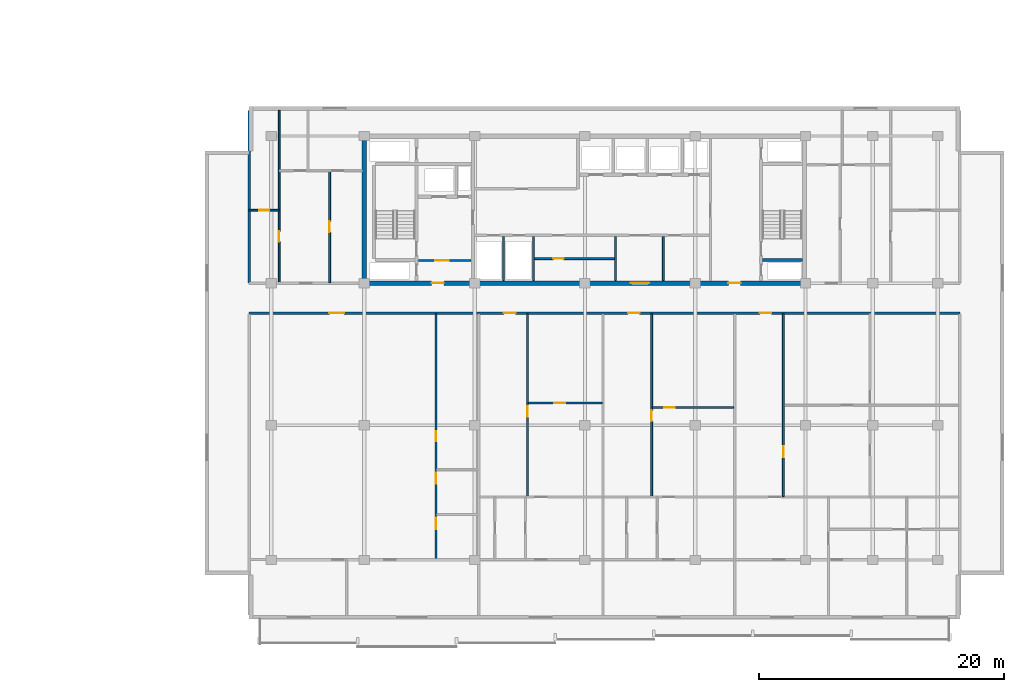
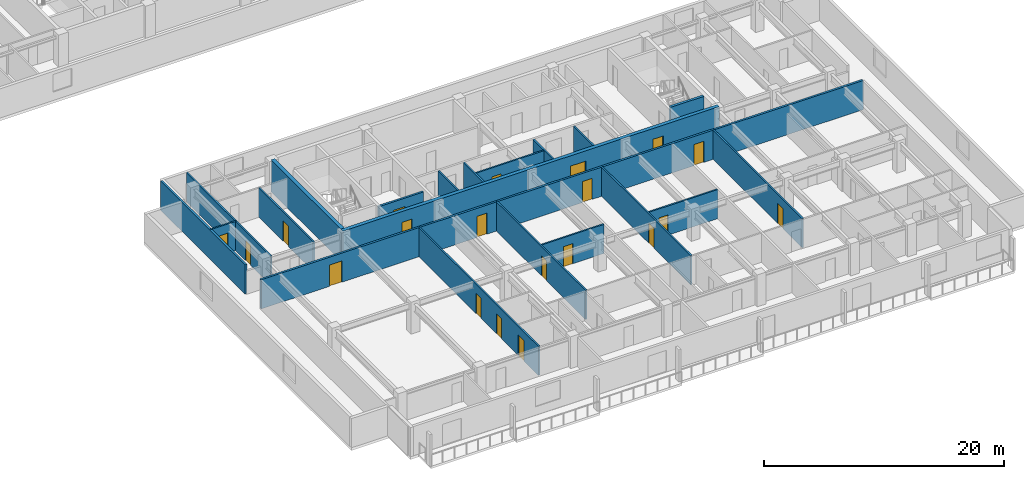
# One storey, part 5 of 21: 20 doors, 20 walls, 20 openings.
"""IFC4 building model written with IfcOpenShell, lengths in metres."""

from ifc_helpers import new_model, si_unit, direction, frame, frame_2d, origin, place, context, subcontext, project, spatial, rectangle, extrude, material, layer, layer_set, type_object, element, fill, save


model = new_model("IFC4")

# Units and contexts
model_context = context("Model", 3, precision=1e-05, world=origin(), true_north=direction((0.0, 1.0)))
body_context = subcontext(model_context, "Body", "Model", "MODEL_VIEW")
ifc_project = project(units=[si_unit("LENGTHUNIT", "METRE"), si_unit("AREAUNIT", "SQUARE_METRE"), si_unit("VOLUMEUNIT", "CUBIC_METRE"), si_unit("PLANEANGLEUNIT", "RADIAN"), si_unit("MASSUNIT", "GRAM", prefix="KILO")], contexts=[model_context])

# Site, building, storey
site_placement = place(None, origin())
site = spatial("IfcSite", under=ifc_project, at=site_placement, CompositionType="ELEMENT")
building_placement = place(site_placement, origin())
building = spatial("IfcBuilding", under=site, at=building_placement, Name="Korimba Cascade Residences", CompositionType="ELEMENT")
storey_placement = place(building_placement, frame((0.0, 0.0, 100.300048828125)))
storey = spatial("IfcBuildingStorey", under=building, at=storey_placement, Name="L28", CompositionType="ELEMENT", Elevation=100.300048828125)

# Wall
ifc_material_1 = material(Name="Concrete C65/80", Category="concrete")
ifc_layer_1 = layer(ifc_material_1, 0.35009765625)
ifc_layer_set_1 = layer_set([ifc_layer_1], Name="Concrete C65/80")
wall_type_1 = type_object("IfcWallType", Name="WAL-CORE-350", PredefinedType="SHEAR", material=ifc_layer_set_1)
wall_1_placement = place(storey_placement, frame((82.10009765625, 18.574951171875, 0.0), z_axis=(0.0, 0.0, 1.0), x_axis=(0.0, 1.0, 0.0)))
element("IfcWall", 1, at=wall_1_placement, inside=storey, type_object=wall_type_1, Name="L28 Core Shear Wall CW-L28-T2-W", PredefinedType="SHEAR", context=body_context, shape_type="SweptSolid", body=[
    extrude(rectangle(XDim=11.650146484375, YDim=0.35009765625, at=frame_2d((5.8251953125, 0.0))), origin(), (0.0, 0.0, 1.0), 3.25),
])

# Wall, openings, doors
wall_2_placement = place(storey_placement, frame((81.925048828125, 18.39990234375, 0.0), z_axis=(0.0, 0.0, 1.0), x_axis=(1.0, 0.0, 0.0)))
wall_2 = element("IfcWall", 2, at=wall_2_placement, inside=storey, type_object=wall_type_1, Name="L28 Core Shear Wall CW-L28-T2-S", PredefinedType="SHEAR", context=body_context, shape_type="SweptSolid", body=[
    extrude(rectangle(XDim=36.264892578125, YDim=0.35009765625, at=frame_2d((18.13232421875, 0.0))), origin(), (0.0, 0.0, 1.0), 3.25),
])
opening_1_placement = place(wall_2_placement, frame((5.675048828125, 0.0, 0.0)))
opening_1 = element("IfcOpeningElement", 3, at=opening_1_placement, cuts=wall_2, Name="Opening D-FD5", PredefinedType="OPENING", context=body_context, shape_type="SweptSolid", body=[
    extrude(rectangle(XDim=1.0, YDim=2.14990234375, at=frame_2d((0.5, 1.074951171875))), frame((0.0, 0.18505859375, 0.0), z_axis=(0.0, -1.0, 0.0), x_axis=(1.0, 0.0, 0.0)), (0.0, 0.0, 1.0), 0.3701171875),
])
opening_2_placement = place(wall_2_placement, frame((21.925048828125, 0.0, 0.0)))
opening_2 = element("IfcOpeningElement", 4, at=opening_2_placement, cuts=wall_2, Name="Opening D-FD8", PredefinedType="OPENING", context=body_context, shape_type="SweptSolid", body=[
    extrude(rectangle(XDim=1.5, YDim=2.199951171875, at=frame_2d((0.75, 1.10009765625))), frame((0.0, 0.18505859375, 0.0), z_axis=(0.0, -1.0, 0.0), x_axis=(1.0, 0.0, 0.0)), (0.0, 0.0, 1.0), 0.3701171875),
])
opening_3_placement = place(wall_2_placement, frame((29.875, 0.0, 0.0)))
opening_3 = element("IfcOpeningElement", 5, at=opening_3_placement, cuts=wall_2, Name="Opening D-FD5", PredefinedType="OPENING", context=body_context, shape_type="SweptSolid", body=[
    extrude(rectangle(XDim=1.0, YDim=2.14990234375, at=frame_2d((0.5, 1.074951171875))), frame((0.0, 0.18505859375, 0.0), z_axis=(0.0, -1.0, 0.0), x_axis=(1.0, 0.0, 0.0)), (0.0, 0.0, 1.0), 0.3701171875),
])
ifc_material_2 = material(Name="Fire-Rated Acoustic Timber Vestibule Door", Category="wood")
door_type_1 = type_object("IfcDoorType", Name="DR-FD90-1000", OperationType="NOTDEFINED", PredefinedType="DOOR", material=ifc_material_2)
door_1_placement = place(opening_1_placement, origin())
door_1 = element("IfcDoor", 6, at=door_1_placement, inside=storey, type_object=door_type_1, Name="L28 T2 West Core Vestibule Fire Door", OperationType="SINGLE_SWING_RIGHT", OverallHeight=2.14990234375, OverallWidth=1.0, PredefinedType="DOOR", context=body_context, shape_type="SweptSolid", body=[
    extrude(rectangle(XDim=1.0, YDim=2.14990234375, at=frame_2d((0.5, 1.074951171875))), frame((0.0, 0.02490234375, 0.0), z_axis=(0.0, -1.0, 0.0), x_axis=(1.0, 0.0, 0.0)), (0.0, 0.0, 1.0), 0.050048828125),
])
fill(opening_1, door_1)
door_2_placement = place(opening_3_placement, origin())
door_2 = element("IfcDoor", 7, at=door_2_placement, inside=storey, type_object=door_type_1, Name="L28 T2 East Stair Vestibule Fire Door", OperationType="SINGLE_SWING_LEFT", OverallHeight=2.14990234375, OverallWidth=1.0, PredefinedType="DOOR", context=body_context, shape_type="SweptSolid", body=[
    extrude(rectangle(XDim=1.0, YDim=2.14990234375, at=frame_2d((0.5, 1.074951171875))), frame((0.0, 0.02490234375, 0.0), z_axis=(0.0, -1.0, 0.0), x_axis=(1.0, 0.0, 0.0)), (0.0, 0.0, 1.0), 0.050048828125),
])
fill(opening_3, door_2)
ifc_material_3 = material(Name="Fire-Rated Glazed Lift Lobby Double Door", Category="glass")
door_type_2 = type_object("IfcDoorType", Name="DR-FD90-1500", OperationType="NOTDEFINED", PredefinedType="DOOR", material=ifc_material_3)
door_3_placement = place(opening_2_placement, origin())
door_3 = element("IfcDoor", 8, at=door_3_placement, inside=storey, type_object=door_type_2, Name="L28 T2 Lift Lobby Fire Door", OperationType="DOUBLE_DOOR_SINGLE_SWING", OverallHeight=2.199951171875, OverallWidth=1.5, PredefinedType="DOOR", context=body_context, shape_type="SweptSolid", body=[
    extrude(rectangle(XDim=1.5, YDim=2.199951171875, at=frame_2d((0.75, 1.10009765625))), frame((0.0, 0.02490234375, 0.0), z_axis=(0.0, -1.0, 0.0), x_axis=(1.0, 0.0, 0.0)), (0.0, 0.0, 1.0), 0.050048828125),
])
fill(opening_2, door_3)

# Wall
ifc_material_4 = material(Name="Precast concrete C40/50", Category="concrete")
ifc_layer_2 = layer(ifc_material_4, 0.199951171875)
ifc_layer_set_2 = layer_set([ifc_layer_2], Name="Precast concrete C40/50")
wall_type_2 = type_object("IfcWallType", Name="WAL-IT-200", PredefinedType="PARTITIONING", material=ifc_layer_set_2)
wall_3_placement = place(storey_placement, frame((72.699951171875, 18.39990234375, 0.0), z_axis=(0.0, 0.0, 1.0), x_axis=(0.0, 1.0, 0.0)))
element("IfcWall", 9, at=wall_3_placement, inside=storey, type_object=wall_type_2, Name="L28 Partition Wall WAL-L28-T2-FW-WL", PredefinedType="PARTITIONING", context=body_context, shape_type="SweptSolid", body=[
    extrude(rectangle(XDim=14.10009765625, YDim=0.199951171875, at=frame_2d((7.050048828125, 0.0))), origin(), (0.0, 0.0, 1.0), 2.969970703125),
])

# Wall, openings, doors
wall_4_placement = place(storey_placement, frame((72.699951171875, 15.949951171875, 0.0), z_axis=(0.0, 0.0, 1.0), x_axis=(1.0, 0.0, 0.0)))
wall_4 = element("IfcWall", 10, at=wall_4_placement, inside=storey, type_object=wall_type_2, Name="L28 Partition Wall WAL-L28-T2-CORS", PredefinedType="PARTITIONING", context=body_context, shape_type="SweptSolid", body=[
    extrude(rectangle(XDim=58.0, YDim=0.199951171875, at=frame_2d((29.0, 0.0))), origin(), (0.0, 0.0, 1.0), 2.969970703125),
])
opening_4_placement = place(wall_4_placement, frame((6.53857421875, 0.0, 0.0)))
opening_4 = element("IfcOpeningElement", 11, at=opening_4_placement, cuts=wall_4, Name="Opening D-AM1", PredefinedType="OPENING", context=body_context, shape_type="SweptSolid", body=[
    extrude(rectangle(XDim=1.219970703125, YDim=2.179931640625, at=frame_2d((0.60986328125, 1.08984375))), frame((0.0, 0.10986328125, 0.0), z_axis=(0.0, -1.0, 0.0), x_axis=(1.0, 0.0, 0.0)), (0.0, 0.0, 1.0), 0.219970703125),
])
opening_5_placement = place(wall_4_placement, frame((20.794921875, 0.0, 0.0)))
opening_5 = element("IfcOpeningElement", 12, at=opening_5_placement, cuts=wall_4, Name="Opening D-UN1", PredefinedType="OPENING", context=body_context, shape_type="SweptSolid", body=[
    extrude(rectangle(XDim=0.949951171875, YDim=2.14990234375, at=frame_2d((0.47509765625, 1.074951171875))), frame((0.0, 0.10986328125, 0.0), z_axis=(0.0, -1.0, 0.0), x_axis=(1.0, 0.0, 0.0)), (0.0, 0.0, 1.0), 0.219970703125),
])
opening_6_placement = place(wall_4_placement, frame((30.919921875, 0.0, 0.0)))
opening_6 = element("IfcOpeningElement", 13, at=opening_6_placement, cuts=wall_4, Name="Opening D-UN1", PredefinedType="OPENING", context=body_context, shape_type="SweptSolid", body=[
    extrude(rectangle(XDim=0.949951171875, YDim=2.14990234375, at=frame_2d((0.47509765625, 1.074951171875))), frame((0.0, 0.10986328125, 0.0), z_axis=(0.0, -1.0, 0.0), x_axis=(1.0, 0.0, 0.0)), (0.0, 0.0, 1.0), 0.219970703125),
])
opening_7_placement = place(wall_4_placement, frame((41.669921875, 0.0, 0.0)))
opening_7 = element("IfcOpeningElement", 14, at=opening_7_placement, cuts=wall_4, Name="Opening D-UN1", PredefinedType="OPENING", context=body_context, shape_type="SweptSolid", body=[
    extrude(rectangle(XDim=0.949951171875, YDim=2.14990234375, at=frame_2d((0.47509765625, 1.074951171875))), frame((0.0, 0.10986328125, 0.0), z_axis=(0.0, -1.0, 0.0), x_axis=(1.0, 0.0, 0.0)), (0.0, 0.0, 1.0), 0.219970703125),
])
ifc_material_5 = material(Name="Fire-Rated Glazed Timber Suite Door", Category="wood")
door_type_3 = type_object("IfcDoorType", Name="DR-FD60-1200", OperationType="NOTDEFINED", PredefinedType="DOOR", material=ifc_material_5)
door_4_placement = place(opening_4_placement, origin())
door_4 = element("IfcDoor", 15, at=door_4_placement, inside=storey, type_object=door_type_3, Name="L28-T2-U01 Resident Conference Room Door", OperationType="SINGLE_SWING_LEFT", OverallHeight=2.179931640625, OverallWidth=1.219970703125, PredefinedType="DOOR", context=body_context, shape_type="SweptSolid", body=[
    extrude(rectangle(XDim=1.219970703125, YDim=2.179931640625, at=frame_2d((0.60986328125, 1.08984375))), frame((0.0, 0.02490234375, 0.0), z_axis=(0.0, -1.0, 0.0), x_axis=(1.0, 0.0, 0.0)), (0.0, 0.0, 1.0), 0.050048828125),
])
fill(opening_4, door_4)
ifc_material_6 = material(Name="Fire-Rated Hardwood Apartment Entrance Door", Category="wood")
door_type_4 = type_object("IfcDoorType", Name="DR-FD60-950", OperationType="NOTDEFINED", PredefinedType="DOOR", material=ifc_material_6)
door_5_placement = place(opening_5_placement, origin())
door_5 = element("IfcDoor", 16, at=door_5_placement, inside=storey, type_object=door_type_4, Name="Unit L28-T2-U02 Entrance Door", OperationType="SINGLE_SWING_RIGHT", OverallHeight=2.14990234375, OverallWidth=0.949951171875, PredefinedType="DOOR", context=body_context, shape_type="SweptSolid", body=[
    extrude(rectangle(XDim=0.949951171875, YDim=2.14990234375, at=frame_2d((0.47509765625, 1.074951171875))), frame((0.0, 0.02490234375, 0.0), z_axis=(0.0, -1.0, 0.0), x_axis=(1.0, 0.0, 0.0)), (0.0, 0.0, 1.0), 0.050048828125),
])
fill(opening_5, door_5)
door_6_placement = place(opening_6_placement, origin())
door_6 = element("IfcDoor", 17, at=door_6_placement, inside=storey, type_object=door_type_4, Name="Unit L28-T2-U03 Entrance Door", OperationType="SINGLE_SWING_LEFT", OverallHeight=2.14990234375, OverallWidth=0.949951171875, PredefinedType="DOOR", context=body_context, shape_type="SweptSolid", body=[
    extrude(rectangle(XDim=0.949951171875, YDim=2.14990234375, at=frame_2d((0.47509765625, 1.074951171875))), frame((0.0, 0.02490234375, 0.0), z_axis=(0.0, -1.0, 0.0), x_axis=(1.0, 0.0, 0.0)), (0.0, 0.0, 1.0), 0.050048828125),
])
fill(opening_6, door_6)
door_7_placement = place(opening_7_placement, origin())
door_7 = element("IfcDoor", 18, at=door_7_placement, inside=storey, type_object=door_type_4, Name="Unit L28-T2-U04 Entrance Door", OperationType="SINGLE_SWING_RIGHT", OverallHeight=2.14990234375, OverallWidth=0.949951171875, PredefinedType="DOOR", context=body_context, shape_type="SweptSolid", body=[
    extrude(rectangle(XDim=0.949951171875, YDim=2.14990234375, at=frame_2d((0.47509765625, 1.074951171875))), frame((0.0, 0.02490234375, 0.0), z_axis=(0.0, -1.0, 0.0), x_axis=(1.0, 0.0, 0.0)), (0.0, 0.0, 1.0), 0.050048828125),
])
fill(opening_7, door_7)

# Walls
ifc_material_7 = material(Name="Insulated Acoustic Stud Partition", Category="gypsum")
ifc_layer_3 = layer(ifc_material_7, 0.14990234375)
ifc_layer_set_3 = layer_set([ifc_layer_3], Name="Insulated Acoustic Stud Partition")
wall_type_3 = type_object("IfcWallType", Name="WAL-PART-150", PredefinedType="PARTITIONING", material=ifc_layer_set_3)
for number, where, z_axis, x_axis, name in (
    (19, (93.449951171875, 18.60009765625, 0.0), (0.0, 0.0, 1.0), (0.0, 1.0, 0.0), "L28 Partition Wall CW-L28-T2-ERDIV"),
    (20, (95.89990234375, 18.60009765625, 0.0), (0.0, 0.0, 1.0), (0.0, 1.0, 0.0), "L28 Partition Wall CW-L28-T2-PRDIV"),
):
    element("IfcWall", number, at=place(storey_placement, frame(where, z_axis=z_axis, x_axis=x_axis)), inside=storey, type_object=wall_type_3, Name=name, PredefinedType="PARTITIONING", context=body_context, shape_type="SweptSolid", body=[
        extrude(rectangle(XDim=3.599853515625, YDim=0.14990234375, at=frame_2d((1.7998046875, 0.0))), origin(), (0.0, 0.0, 1.0), 2.969970703125),
    ])

# Wall, opening, door
wall_5_placement = place(storey_placement, frame((95.89990234375, 20.39990234375, 0.0), z_axis=(0.0, 0.0, 1.0), x_axis=(1.0, 0.0, 0.0)))
wall_5 = element("IfcWall", 21, at=wall_5_placement, inside=storey, type_object=wall_type_3, Name="L28 Partition Wall CW-L28-T2-CA2HZ", PredefinedType="PARTITIONING", context=body_context, shape_type="SweptSolid", body=[
    extrude(rectangle(XDim=6.7001953125, YDim=0.14990234375, at=frame_2d((3.35009765625, 0.0))), origin(), (0.0, 0.0, 1.0), 2.969970703125),
])
opening_8_placement = place(wall_5_placement, frame((1.60009765625, 0.0, 0.0)))
opening_8 = element("IfcOpeningElement", 22, at=opening_8_placement, cuts=wall_5, Name="Opening D-IN2", PredefinedType="OPENING", context=body_context, shape_type="SweptSolid", body=[
    extrude(rectangle(XDim=0.8798828125, YDim=2.06005859375, at=frame_2d((0.43994140625, 1.030029296875))), frame((0.0, 0.0849609375, 0.0), z_axis=(0.0, -1.0, 0.0), x_axis=(1.0, 0.0, 0.0)), (0.0, 0.0, 1.0), 0.169921875),
])
ifc_material_8 = material(Name="Acoustic Timber Bedroom Door", Category="wood")
door_type_5 = type_object("IfcDoorType", Name="DR-INT-880", OperationType="NOTDEFINED", PredefinedType="DOOR", material=ifc_material_8)
door_8_placement = place(opening_8_placement, origin())
door_8 = element("IfcDoor", 23, at=door_8_placement, inside=storey, type_object=door_type_5, Name="L28 T2 Pram Store Door", OperationType="SINGLE_SWING_RIGHT", OverallHeight=2.06005859375, OverallWidth=0.8798828125, PredefinedType="DOOR", context=body_context, shape_type="SweptSolid", body=[
    extrude(rectangle(XDim=0.8798828125, YDim=2.06005859375, at=frame_2d((0.43994140625, 1.030029296875))), frame((0.0, 0.02490234375, 0.0), z_axis=(0.0, -1.0, 0.0), x_axis=(1.0, 0.0, 0.0)), (0.0, 0.0, 1.0), 0.050048828125),
])
fill(opening_8, door_8)

# Walls
for number, where, z_axis, x_axis, name in (
    (24, (102.60009765625, 18.60009765625, 0.0), (0.0, 0.0, 1.0), (0.0, 1.0, 0.0), "L28 Partition Wall CW-L28-T2-THW"),
    (25, (106.5, 18.60009765625, 0.0), (0.0, 0.0, 1.0), (0.0, 1.0, 0.0), "L28 Partition Wall CW-L28-T2-THE"),
):
    element("IfcWall", number, at=place(storey_placement, frame(where, z_axis=z_axis, x_axis=x_axis)), inside=storey, type_object=wall_type_3, Name=name, PredefinedType="PARTITIONING", context=body_context, shape_type="SweptSolid", body=[
        extrude(rectangle(XDim=3.599853515625, YDim=0.14990234375, at=frame_2d((1.7998046875, 0.0))), origin(), (0.0, 0.0, 1.0), 2.969970703125),
    ])

# Wall, opening, door
wall_6_placement = place(storey_placement, frame((72.699951171875, 24.35009765625, 0.0), z_axis=(0.0, 0.0, 1.0), x_axis=(1.0, 0.0, 0.0)))
wall_6 = element("IfcWall", 26, at=wall_6_placement, inside=storey, type_object=wall_type_3, Name="L28 Partition Wall WAL-L28-T2-FW-STH", PredefinedType="PARTITIONING", context=body_context, shape_type="SweptSolid", body=[
    extrude(rectangle(XDim=2.449951171875, YDim=0.14990234375, at=frame_2d((1.22509765625, 0.0))), origin(), (0.0, 0.0, 1.0), 2.969970703125),
])
opening_9_placement = place(wall_6_placement, frame((0.804931640625, 0.0, 0.0)))
opening_9 = element("IfcOpeningElement", 27, at=opening_9_placement, cuts=wall_6, Name="Opening D-BT1", PredefinedType="OPENING", context=body_context, shape_type="SweptSolid", body=[
    extrude(rectangle(XDim=0.840087890625, YDim=2.0400390625, at=frame_2d((0.419921875, 1.02001953125))), frame((0.0, 0.0849609375, 0.0), z_axis=(0.0, -1.0, 0.0), x_axis=(1.0, 0.0, 0.0)), (0.0, 0.0, 1.0), 0.169921875),
])
ifc_material_9 = material(Name="Moisture-Resistant Bathroom Timber Door", Category="wood")
door_type_6 = type_object("IfcDoorType", Name="DR-INT-850", OperationType="NOTDEFINED", PredefinedType="DOOR", material=ifc_material_9)
door_9_placement = place(opening_9_placement, origin())
door_9 = element("IfcDoor", 28, at=door_9_placement, inside=storey, type_object=door_type_6, Name="L28-T2-FW Dressing Store Door", OperationType="SINGLE_SWING_LEFT", OverallHeight=2.0400390625, OverallWidth=0.840087890625, PredefinedType="DOOR", context=body_context, shape_type="SweptSolid", body=[
    extrude(rectangle(XDim=0.840087890625, YDim=2.0400390625, at=frame_2d((0.419921875, 1.02001953125))), frame((0.0, 0.02490234375, 0.0), z_axis=(0.0, -1.0, 0.0), x_axis=(1.0, 0.0, 0.0)), (0.0, 0.0, 1.0), 0.050048828125),
])
fill(opening_9, door_9)

wall_7_placement = place(storey_placement, frame((75.14990234375, 18.449951171875, 0.0), z_axis=(0.0, 0.0, 1.0), x_axis=(0.0, 1.0, 0.0)))
wall_7 = element("IfcWall", 29, at=wall_7_placement, inside=storey, type_object=wall_type_3, Name="L28 Partition Wall WAL-L28-T2-FW-STV", PredefinedType="PARTITIONING", context=body_context, shape_type="SweptSolid", body=[
    extrude(rectangle(XDim=14.050048828125, YDim=0.14990234375, at=frame_2d((7.02490234375, 0.0))), origin(), (0.0, 0.0, 1.0), 2.969970703125),
])
opening_10_placement = place(wall_7_placement, frame((3.320068359375, 0.0, 0.0)))
opening_10 = element("IfcOpeningElement", 30, at=opening_10_placement, cuts=wall_7, Name="Opening D-IN2", PredefinedType="OPENING", context=body_context, shape_type="SweptSolid", body=[
    extrude(rectangle(XDim=0.8798828125, YDim=2.06005859375, at=frame_2d((0.43994140625, 1.030029296875))), frame((0.0, 0.0849609375, 0.0), z_axis=(0.0, -1.0, 0.0), x_axis=(1.0, 0.0, 0.0)), (0.0, 0.0, 1.0), 0.169921875),
])
door_10_placement = place(opening_10_placement, origin())
door_10 = element("IfcDoor", 31, at=door_10_placement, inside=storey, type_object=door_type_5, Name="L28-T2-FW Study Door", OperationType="SINGLE_SWING_RIGHT", OverallHeight=2.06005859375, OverallWidth=0.8798828125, PredefinedType="DOOR", context=body_context, shape_type="SweptSolid", body=[
    extrude(rectangle(XDim=0.8798828125, YDim=2.06005859375, at=frame_2d((0.43994140625, 1.030029296875))), frame((0.0, 0.02490234375, 0.0), z_axis=(0.0, -1.0, 0.0), x_axis=(1.0, 0.0, 0.0)), (0.0, 0.0, 1.0), 0.050048828125),
])
fill(opening_10, door_10)

wall_8_placement = place(storey_placement, frame((79.27001953125, 18.449951171875, 0.0), z_axis=(0.0, 0.0, 1.0), x_axis=(0.0, 1.0, 0.0)))
wall_8 = element("IfcWall", 32, at=wall_8_placement, inside=storey, type_object=wall_type_3, Name="L28 Partition Wall WAL-L28-T2-FW-VS", PredefinedType="PARTITIONING", context=body_context, shape_type="SweptSolid", body=[
    extrude(rectangle(XDim=9.1201171875, YDim=0.14990234375, at=frame_2d((4.56005859375, 0.0))), origin(), (0.0, 0.0, 1.0), 2.969970703125),
])
opening_11_placement = place(wall_8_placement, frame((4.10009765625, 0.0, 0.0)))
opening_11 = element("IfcOpeningElement", 33, at=opening_11_placement, cuts=wall_8, Name="Opening D-IN1", PredefinedType="OPENING", context=body_context, shape_type="SweptSolid", body=[
    extrude(rectangle(XDim=0.919921875, YDim=2.080078125, at=frame_2d((0.4599609375, 1.0400390625))), frame((0.0, 0.0849609375, 0.0), z_axis=(0.0, -1.0, 0.0), x_axis=(1.0, 0.0, 0.0)), (0.0, 0.0, 1.0), 0.169921875),
])
ifc_material_10 = material(Name="Acoustic Timber Living Door", Category="wood")
door_type_7 = type_object("IfcDoorType", Name="DR-INT-920", OperationType="NOTDEFINED", PredefinedType="DOOR", material=ifc_material_10)
door_11_placement = place(opening_11_placement, origin())
door_11 = element("IfcDoor", 34, at=door_11_placement, inside=storey, type_object=door_type_7, Name="L28-T2-FW Living Door", OperationType="SINGLE_SWING_LEFT", OverallHeight=2.080078125, OverallWidth=0.919921875, PredefinedType="DOOR", context=body_context, shape_type="SweptSolid", body=[
    extrude(rectangle(XDim=0.919921875, YDim=2.080078125, at=frame_2d((0.4599609375, 1.0400390625))), frame((0.0, 0.02490234375, 0.0), z_axis=(0.0, -1.0, 0.0), x_axis=(1.0, 0.0, 0.0)), (0.0, 0.0, 1.0), 0.050048828125),
])
fill(opening_11, door_11)

# Wall, openings, doors
wall_9_placement = place(storey_placement, frame((87.949951171875, -4.090087890625, 0.0), z_axis=(0.0, 0.0, 1.0), x_axis=(0.0, 1.0, 0.0)))
wall_9 = element("IfcWall", 35, at=wall_9_placement, inside=storey, type_object=wall_type_3, Name="L28 Partition Wall WAL-L28-T2-U01-WCV", PredefinedType="PARTITIONING", context=body_context, shape_type="SweptSolid", body=[
    extrude(rectangle(XDim=19.97998046875, YDim=0.14990234375, at=frame_2d((9.989990234375, 0.0))), origin(), (0.0, 0.0, 1.0), 2.969970703125),
])
opening_12_placement = place(wall_9_placement, frame((2.406005859375, 0.0, 0.0)))
opening_12 = element("IfcOpeningElement", 36, at=opening_12_placement, cuts=wall_9, Name="Opening D-AC1", PredefinedType="OPENING", context=body_context, shape_type="SweptSolid", body=[
    extrude(rectangle(XDim=0.9599609375, YDim=2.10009765625, at=frame_2d((0.47998046875, 1.050048828125))), frame((0.0, 0.0849609375, 0.0), z_axis=(0.0, -1.0, 0.0), x_axis=(1.0, 0.0, 0.0)), (0.0, 0.0, 1.0), 0.169921875),
])
opening_13_placement = place(wall_9_placement, frame((6.132568359375, 0.0, 0.0)))
opening_13 = element("IfcOpeningElement", 37, at=opening_13_placement, cuts=wall_9, Name="Opening D-IN2", PredefinedType="OPENING", context=body_context, shape_type="SweptSolid", body=[
    extrude(rectangle(XDim=0.8798828125, YDim=2.06005859375, at=frame_2d((0.43994140625, 1.030029296875))), frame((0.0, 0.0849609375, 0.0), z_axis=(0.0, -1.0, 0.0), x_axis=(1.0, 0.0, 0.0)), (0.0, 0.0, 1.0), 0.169921875),
])
opening_14_placement = place(wall_9_placement, frame((9.570068359375, 0.0, 0.0)))
opening_14 = element("IfcOpeningElement", 38, at=opening_14_placement, cuts=wall_9, Name="Opening D-BT1", PredefinedType="OPENING", context=body_context, shape_type="SweptSolid", body=[
    extrude(rectangle(XDim=0.840087890625, YDim=2.0400390625, at=frame_2d((0.419921875, 1.02001953125))), frame((0.0, 0.0849609375, 0.0), z_axis=(0.0, -1.0, 0.0), x_axis=(1.0, 0.0, 0.0)), (0.0, 0.0, 1.0), 0.169921875),
])
ifc_material_11 = material(Name="Accessible Acoustic Timber WC Door", Category="wood")
door_type_8 = type_object("IfcDoorType", Name="DR-ACC-950", OperationType="NOTDEFINED", PredefinedType="DOOR", material=ifc_material_11)
door_12_placement = place(opening_12_placement, origin())
door_12 = element("IfcDoor", 39, at=door_12_placement, inside=storey, type_object=door_type_8, Name="L28-T2-U01 Accessible WC Door", OperationType="SINGLE_SWING_LEFT", OverallHeight=2.10009765625, OverallWidth=0.9599609375, PredefinedType="DOOR", context=body_context, shape_type="SweptSolid", body=[
    extrude(rectangle(XDim=0.9599609375, YDim=2.10009765625, at=frame_2d((0.47998046875, 1.050048828125))), frame((0.0, 0.02490234375, 0.0), z_axis=(0.0, -1.0, 0.0), x_axis=(1.0, 0.0, 0.0)), (0.0, 0.0, 1.0), 0.050048828125),
])
fill(opening_12, door_12)
door_13_placement = place(opening_14_placement, origin())
door_13 = element("IfcDoor", 40, at=door_13_placement, inside=storey, type_object=door_type_6, Name="L28-T2-U01 Suite Store Door", OperationType="SINGLE_SWING_LEFT", OverallHeight=2.0400390625, OverallWidth=0.840087890625, PredefinedType="DOOR", context=body_context, shape_type="SweptSolid", body=[
    extrude(rectangle(XDim=0.840087890625, YDim=2.0400390625, at=frame_2d((0.419921875, 1.02001953125))), frame((0.0, 0.02490234375, 0.0), z_axis=(0.0, -1.0, 0.0), x_axis=(1.0, 0.0, 0.0)), (0.0, 0.0, 1.0), 0.050048828125),
])
fill(opening_14, door_13)
door_14_placement = place(opening_13_placement, origin())
door_14 = element("IfcDoor", 41, at=door_14_placement, inside=storey, type_object=door_type_5, Name="L28-T2-U01 Restroom WC Door", OperationType="SINGLE_SWING_RIGHT", OverallHeight=2.06005859375, OverallWidth=0.8798828125, PredefinedType="DOOR", context=body_context, shape_type="SweptSolid", body=[
    extrude(rectangle(XDim=0.8798828125, YDim=2.06005859375, at=frame_2d((0.43994140625, 1.030029296875))), frame((0.0, 0.02490234375, 0.0), z_axis=(0.0, -1.0, 0.0), x_axis=(1.0, 0.0, 0.0)), (0.0, 0.0, 1.0), 0.050048828125),
])
fill(opening_13, door_14)

# Wall, opening, door
wall_10_placement = place(storey_placement, frame((95.47998046875, 8.6201171875, 0.0), z_axis=(0.0, 0.0, 1.0), x_axis=(1.0, 0.0, 0.0)))
wall_10 = element("IfcWall", 42, at=wall_10_placement, inside=storey, type_object=wall_type_3, Name="L28 Partition Wall WAL-L28-T2-U02-FMH", PredefinedType="PARTITIONING", context=body_context, shape_type="SweptSolid", body=[
    extrude(rectangle(XDim=6.01513671875, YDim=0.14990234375, at=frame_2d((3.007568359375, 0.0))), origin(), (0.0, 0.0, 1.0), 2.969970703125),
])
opening_15_placement = place(wall_10_placement, frame((2.1240234375, 0.0, 0.0)))
opening_15 = element("IfcOpeningElement", 43, at=opening_15_placement, cuts=wall_10, Name="Opening D-IN2", PredefinedType="OPENING", context=body_context, shape_type="SweptSolid", body=[
    extrude(rectangle(XDim=0.8798828125, YDim=2.06005859375, at=frame_2d((0.43994140625, 1.030029296875))), frame((0.0, 0.0849609375, 0.0), z_axis=(0.0, -1.0, 0.0), x_axis=(1.0, 0.0, 0.0)), (0.0, 0.0, 1.0), 0.169921875),
])
door_15_placement = place(opening_15_placement, origin())
door_15 = element("IfcDoor", 44, at=door_15_placement, inside=storey, type_object=door_type_5, Name="L28-T2-U02 Library Salon Door", OperationType="SINGLE_SWING_RIGHT", OverallHeight=2.06005859375, OverallWidth=0.8798828125, PredefinedType="DOOR", context=body_context, shape_type="SweptSolid", body=[
    extrude(rectangle(XDim=0.8798828125, YDim=2.06005859375, at=frame_2d((0.43994140625, 1.030029296875))), frame((0.0, 0.02490234375, 0.0), z_axis=(0.0, -1.0, 0.0), x_axis=(1.0, 0.0, 0.0)), (0.0, 0.0, 1.0), 0.050048828125),
])
fill(opening_15, door_15)

wall_11_placement = place(storey_placement, frame((95.419921875, 0.989990234375, 0.0), z_axis=(0.0, 0.0, 1.0), x_axis=(0.0, 1.0, 0.0)))
wall_11 = element("IfcWall", 45, at=wall_11_placement, inside=storey, type_object=wall_type_3, Name="L28 Partition Wall WAL-L28-T2-U02-FV", PredefinedType="PARTITIONING", context=body_context, shape_type="SweptSolid", body=[
    extrude(rectangle(XDim=14.89990234375, YDim=0.14990234375, at=frame_2d((7.449951171875, 0.0))), origin(), (0.0, 0.0, 1.0), 2.969970703125),
])
opening_16_placement = place(wall_11_placement, frame((6.5, 0.0, 0.0)))
opening_16 = element("IfcOpeningElement", 46, at=opening_16_placement, cuts=wall_11, Name="Opening D-IN2", PredefinedType="OPENING", context=body_context, shape_type="SweptSolid", body=[
    extrude(rectangle(XDim=0.8798828125, YDim=2.06005859375, at=frame_2d((0.43994140625, 1.030029296875))), frame((0.0, 0.0849609375, 0.0), z_axis=(0.0, -1.0, 0.0), x_axis=(1.0, 0.0, 0.0)), (0.0, 0.0, 1.0), 0.169921875),
])
door_16_placement = place(opening_16_placement, origin())
door_16 = element("IfcDoor", 47, at=door_16_placement, inside=storey, type_object=door_type_5, Name="L28-T2-U02 Media Lounge Door", OperationType="SINGLE_SWING_LEFT", OverallHeight=2.06005859375, OverallWidth=0.8798828125, PredefinedType="DOOR", context=body_context, shape_type="SweptSolid", body=[
    extrude(rectangle(XDim=0.8798828125, YDim=2.06005859375, at=frame_2d((0.43994140625, 1.030029296875))), frame((0.0, 0.02490234375, 0.0), z_axis=(0.0, -1.0, 0.0), x_axis=(1.0, 0.0, 0.0)), (0.0, 0.0, 1.0), 0.050048828125),
])
fill(opening_16, door_16)

wall_12_placement = place(storey_placement, frame((105.60498046875, 8.260009765625, 0.0), z_axis=(0.0, 0.0, 1.0), x_axis=(1.0, 0.0, 0.0)))
wall_12 = element("IfcWall", 48, at=wall_12_placement, inside=storey, type_object=wall_type_3, Name="L28 Partition Wall WAL-L28-T2-U03-FMH", PredefinedType="PARTITIONING", context=body_context, shape_type="SweptSolid", body=[
    extrude(rectangle(XDim=6.64013671875, YDim=0.14990234375, at=frame_2d((3.320068359375, 0.0))), origin(), (0.0, 0.0, 1.0), 2.969970703125),
])
opening_17_placement = place(wall_12_placement, frame((0.957275390625, 0.0, 0.0)))
opening_17 = element("IfcOpeningElement", 49, at=opening_17_placement, cuts=wall_12, Name="Opening D-IN2", PredefinedType="OPENING", context=body_context, shape_type="SweptSolid", body=[
    extrude(rectangle(XDim=0.8798828125, YDim=2.06005859375, at=frame_2d((0.43994140625, 1.030029296875))), frame((0.0, 0.0849609375, 0.0), z_axis=(0.0, -1.0, 0.0), x_axis=(1.0, 0.0, 0.0)), (0.0, 0.0, 1.0), 0.169921875),
])
door_17_placement = place(opening_17_placement, origin())
door_17 = element("IfcDoor", 50, at=door_17_placement, inside=storey, type_object=door_type_5, Name="L28-T2-U03 Library Salon Door", OperationType="SINGLE_SWING_RIGHT", OverallHeight=2.06005859375, OverallWidth=0.8798828125, PredefinedType="DOOR", context=body_context, shape_type="SweptSolid", body=[
    extrude(rectangle(XDim=0.8798828125, YDim=2.06005859375, at=frame_2d((0.43994140625, 1.030029296875))), frame((0.0, 0.02490234375, 0.0), z_axis=(0.0, -1.0, 0.0), x_axis=(1.0, 0.0, 0.0)), (0.0, 0.0, 1.0), 0.050048828125),
])
fill(opening_17, door_17)

wall_13_placement = place(storey_placement, frame((105.544921875, 0.989990234375, 0.0), z_axis=(0.0, 0.0, 1.0), x_axis=(0.0, 1.0, 0.0)))
wall_13 = element("IfcWall", 51, at=wall_13_placement, inside=storey, type_object=wall_type_3, Name="L28 Partition Wall WAL-L28-T2-U03-FV", PredefinedType="PARTITIONING", context=body_context, shape_type="SweptSolid", body=[
    extrude(rectangle(XDim=14.89990234375, YDim=0.14990234375, at=frame_2d((7.449951171875, 0.0))), origin(), (0.0, 0.0, 1.0), 2.969970703125),
])
opening_18_placement = place(wall_13_placement, frame((6.139892578125, 0.0, 0.0)))
opening_18 = element("IfcOpeningElement", 52, at=opening_18_placement, cuts=wall_13, Name="Opening D-IN2", PredefinedType="OPENING", context=body_context, shape_type="SweptSolid", body=[
    extrude(rectangle(XDim=0.8798828125, YDim=2.06005859375, at=frame_2d((0.43994140625, 1.030029296875))), frame((0.0, 0.0849609375, 0.0), z_axis=(0.0, -1.0, 0.0), x_axis=(1.0, 0.0, 0.0)), (0.0, 0.0, 1.0), 0.169921875),
])
door_18_placement = place(opening_18_placement, origin())
door_18 = element("IfcDoor", 53, at=door_18_placement, inside=storey, type_object=door_type_5, Name="L28-T2-U03 Media Lounge Door", OperationType="SINGLE_SWING_LEFT", OverallHeight=2.06005859375, OverallWidth=0.8798828125, PredefinedType="DOOR", context=body_context, shape_type="SweptSolid", body=[
    extrude(rectangle(XDim=0.8798828125, YDim=2.06005859375, at=frame_2d((0.43994140625, 1.030029296875))), frame((0.0, 0.02490234375, 0.0), z_axis=(0.0, -1.0, 0.0), x_axis=(1.0, 0.0, 0.0)), (0.0, 0.0, 1.0), 0.050048828125),
])
fill(opening_18, door_18)

wall_14_placement = place(storey_placement, frame((116.294921875, 0.989990234375, 0.0), z_axis=(0.0, 0.0, 1.0), x_axis=(0.0, 1.0, 0.0)))
wall_14 = element("IfcWall", 54, at=wall_14_placement, inside=storey, type_object=wall_type_3, Name="L28 Partition Wall WAL-L28-T2-U04-FV", PredefinedType="PARTITIONING", context=body_context, shape_type="SweptSolid", body=[
    extrude(rectangle(XDim=14.89990234375, YDim=0.14990234375, at=frame_2d((7.449951171875, 0.0))), origin(), (0.0, 0.0, 1.0), 2.969970703125),
])
opening_19_placement = place(wall_14_placement, frame((3.215576171875, 0.0, 0.0)))
opening_19 = element("IfcOpeningElement", 55, at=opening_19_placement, cuts=wall_14, Name="Opening D-IN2", PredefinedType="OPENING", context=body_context, shape_type="SweptSolid", body=[
    extrude(rectangle(XDim=0.8798828125, YDim=2.06005859375, at=frame_2d((0.43994140625, 1.030029296875))), frame((0.0, 0.0849609375, 0.0), z_axis=(0.0, -1.0, 0.0), x_axis=(1.0, 0.0, 0.0)), (0.0, 0.0, 1.0), 0.169921875),
])
door_19_placement = place(opening_19_placement, origin())
door_19 = element("IfcDoor", 56, at=door_19_placement, inside=storey, type_object=door_type_5, Name="L28-T2-U04 Media Lounge Door", OperationType="SINGLE_SWING_LEFT", OverallHeight=2.06005859375, OverallWidth=0.8798828125, PredefinedType="DOOR", context=body_context, shape_type="SweptSolid", body=[
    extrude(rectangle(XDim=0.8798828125, YDim=2.06005859375, at=frame_2d((0.43994140625, 1.030029296875))), frame((0.0, 0.02490234375, 0.0), z_axis=(0.0, -1.0, 0.0), x_axis=(1.0, 0.0, 0.0)), (0.0, 0.0, 1.0), 0.050048828125),
])
fill(opening_19, door_19)

ifc_material_12 = material(Name="Concrete C40/50", Category="concrete")
ifc_layer_4 = layer(ifc_material_12, 0.199951171875)
ifc_layer_set_4 = layer_set([ifc_layer_4], Name="Concrete C40/50")
wall_type_4 = type_object("IfcWallType", Name="WAL-PART-200", PredefinedType="PARTITIONING", material=ifc_layer_set_4)
wall_15_placement = place(storey_placement, frame((86.5, 20.25, 0.0), z_axis=(0.0, 0.0, 1.0), x_axis=(1.0, 0.0, 0.0)))
wall_15 = element("IfcWall", 57, at=wall_15_placement, inside=storey, type_object=wall_type_4, Name="L28 Partition Wall CW-L28-T2-FFLS", PredefinedType="PARTITIONING", context=body_context, shape_type="SweptSolid", body=[
    extrude(rectangle(XDim=4.320068359375, YDim=0.199951171875, at=frame_2d((2.16015625, 0.0))), origin(), (0.0, 0.0, 1.0), 2.969970703125),
])
opening_20_placement = place(wall_15_placement, frame((1.39990234375, 0.0, 0.0)))
opening_20 = element("IfcOpeningElement", 58, at=opening_20_placement, cuts=wall_15, Name="Opening D-FD1", PredefinedType="OPENING", context=body_context, shape_type="SweptSolid", body=[
    extrude(rectangle(XDim=1.10009765625, YDim=2.10009765625, at=frame_2d((0.550048828125, 1.050048828125))), frame((0.0, 0.10986328125, 0.0), z_axis=(0.0, -1.0, 0.0), x_axis=(1.0, 0.0, 0.0)), (0.0, 0.0, 1.0), 0.219970703125),
])
ifc_material_13 = material(Name="Fire-Rated Steel Core Door", Category="steel")
door_type_9 = type_object("IfcDoorType", Name="DR-FD120-1100", OperationType="NOTDEFINED", PredefinedType="DOOR", material=ifc_material_13)
door_20_placement = place(opening_20_placement, origin())
door_20 = element("IfcDoor", 59, at=door_20_placement, inside=storey, type_object=door_type_9, Name="L28 T2 Firefighting Lobby Door", OperationType="SINGLE_SWING_RIGHT", OverallHeight=2.10009765625, OverallWidth=1.10009765625, PredefinedType="DOOR", context=body_context, shape_type="SweptSolid", body=[
    extrude(rectangle(XDim=1.10009765625, YDim=2.10009765625, at=frame_2d((0.550048828125, 1.050048828125))), frame((0.0, 0.02490234375, 0.0), z_axis=(0.0, -1.0, 0.0), x_axis=(1.0, 0.0, 0.0)), (0.0, 0.0, 1.0), 0.050048828125),
])
fill(opening_20, door_20)

# Wall
ifc_material_14 = material(Name="Concrete C50/60", Category="concrete")
ifc_layer_5 = layer(ifc_material_14, 0.25)
ifc_layer_set_5 = layer_set([ifc_layer_5], Name="Concrete C50/60")
wall_type_5 = type_object("IfcWallType", Name="WAL-SHAFT-250", PredefinedType="SHEAR", material=ifc_layer_set_5)
wall_16_placement = place(storey_placement, frame((114.60009765625, 20.27490234375, 0.0), z_axis=(0.0, 0.0, 1.0), x_axis=(1.0, 0.0, 0.0)))
element("IfcWall", 60, at=wall_16_placement, inside=storey, type_object=wall_type_5, Name="L28 Core Shear Wall CW-L28-T2-STE2S", PredefinedType="SHEAR", context=body_context, shape_type="SweptSolid", body=[
    extrude(rectangle(XDim=3.239990234375, YDim=0.25, at=frame_2d((1.6201171875, 0.0))), origin(), (0.0, 0.0, 1.0), 3.25),
])

save(model, "model.ifc")
